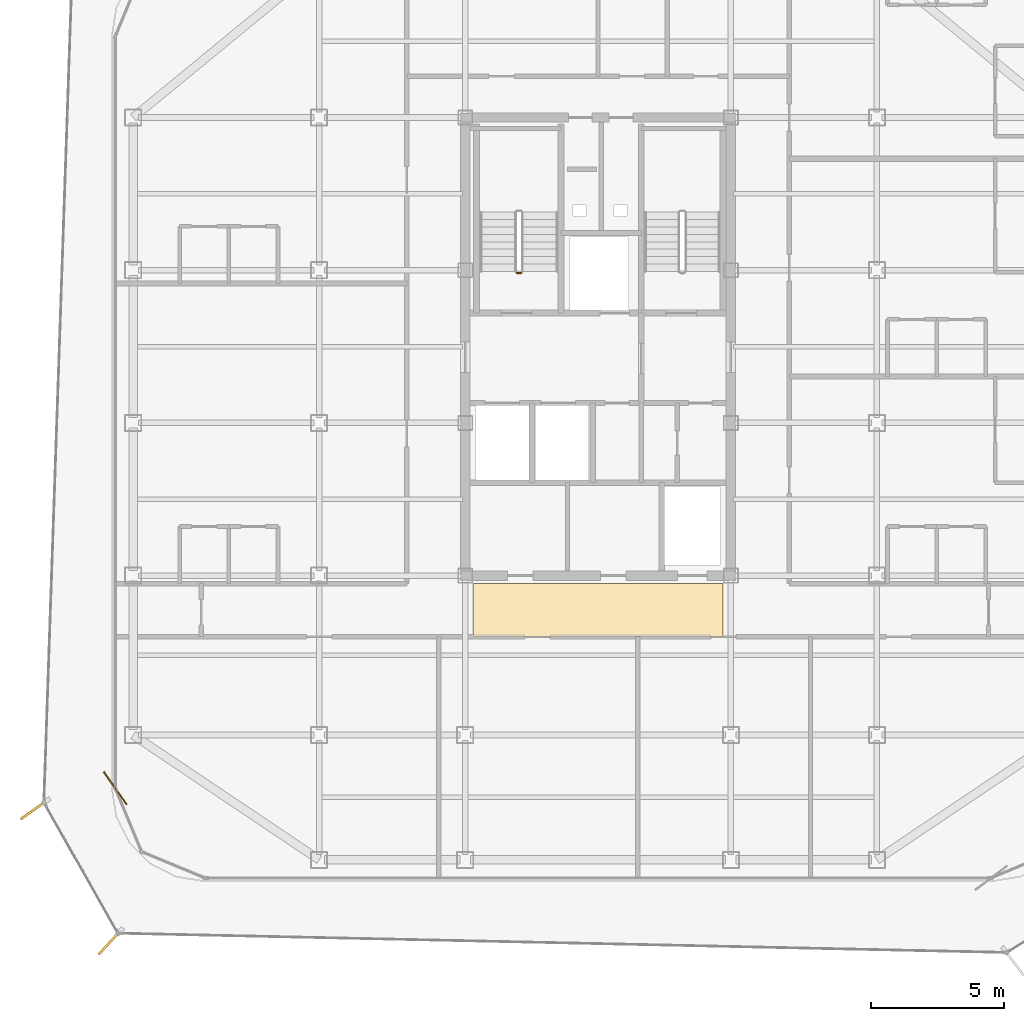
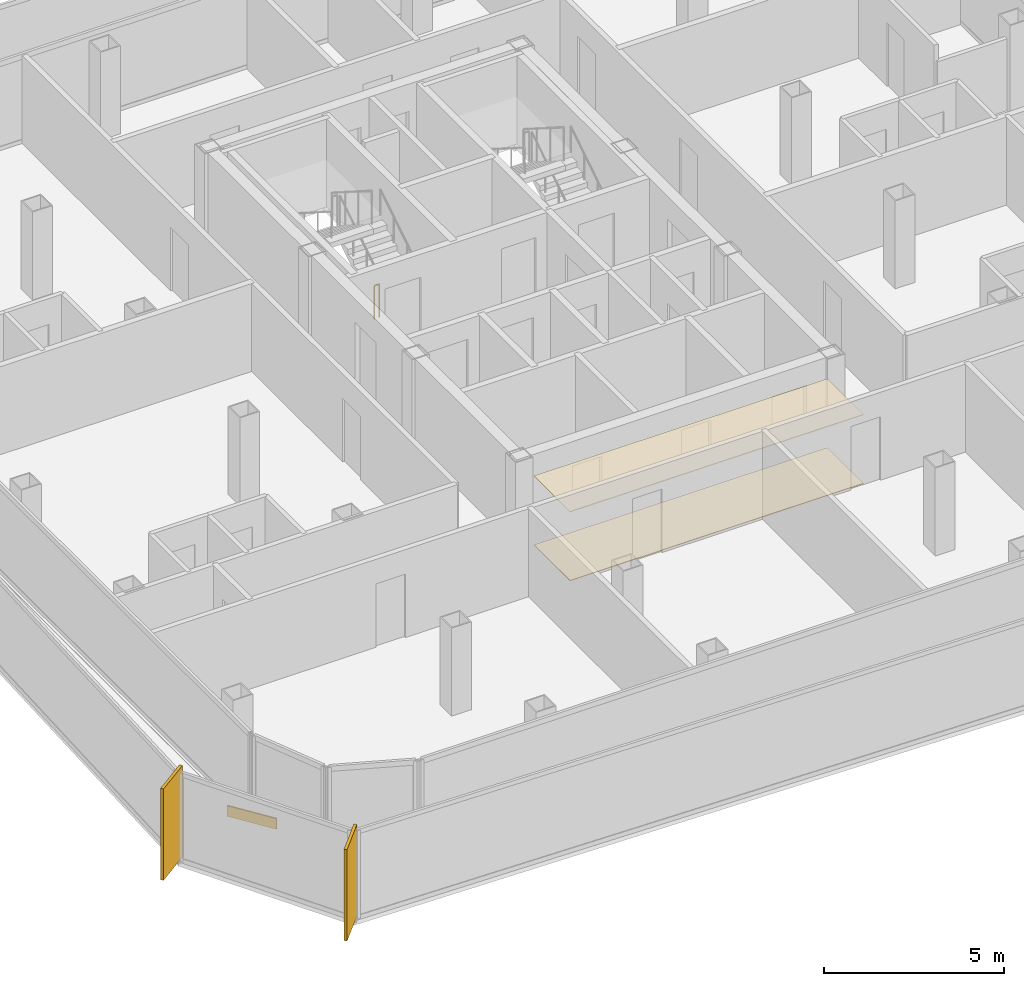
# One storey, part 13 of 15: 3 coverings, 2 shading devices, 1 railing.
"""IFC4 building model written with IfcOpenShell, lengths in metres."""

from ifc_helpers import new_model, si_unit, direction, frame, origin, origin_2d, place, context, subcontext, project, spatial, polyline, rectangle, circle, outline, extrude, source, transform, mapped, material, layer, layer_set, type_object, element, save


model = new_model("IFC4")

# Units and contexts
model_context = context("Model", 3, precision=1e-05, world=origin(), true_north=direction((0.0, 1.0)))
body_context = subcontext(model_context, "Body", "Model", "MODEL_VIEW")
ifc_project = project(units=[si_unit("LENGTHUNIT", "METRE"), si_unit("AREAUNIT", "SQUARE_METRE"), si_unit("VOLUMEUNIT", "CUBIC_METRE"), si_unit("PLANEANGLEUNIT", "RADIAN"), si_unit("MASSUNIT", "GRAM", prefix="KILO")], contexts=[model_context])

# Site, building, storey
site_placement = place(None, origin())
site = spatial("IfcSite", under=ifc_project, at=site_placement, CompositionType="ELEMENT")
building_placement = place(site_placement, origin())
building = spatial("IfcBuilding", under=site, at=building_placement, Name="Kolveth Station Tower", CompositionType="ELEMENT")
storey_placement = place(building_placement, frame((0.0, 0.0, 248.89990234375)))
storey = spatial("IfcBuildingStorey", under=building, at=storey_placement, Name="L71", CompositionType="ELEMENT", Elevation=248.89990234375)

# Coverings
ifc_material_1 = material(Name="Acoustic mineral-fibre ceiling tile")
ifc_layer_1 = layer(ifc_material_1, 0.02490234375)
ifc_layer_set_1 = layer_set([ifc_layer_1], Name="Acoustic mineral-fibre ceiling tile")
covering_type_1 = type_object("IfcCoveringType", Name="Ceil_CL1", PredefinedType="CEILING", material=ifc_layer_set_1)
covering_1_placement = place(storey_placement, frame((0.0, 0.0, 2.330078125)))
element("IfcCovering", 1, at=covering_1_placement, inside=storey, type_object=covering_type_1, Name="L71 Lift Lobby Suspended Ceiling", PredefinedType="CEILING", context=body_context, shape_type="SweptSolid", body=[
    extrude(outline(polyline([(18.800048828125, 9.199951171875), (28.199951171875, 9.199951171875), (28.199951171875, 11.199951171875), (18.800048828125, 11.199951171875), (18.800048828125, 9.199951171875)])), origin(), (0.0, 0.0, 1.0), 0.02490234375),
])
ifc_material_2 = material(Name="Honed terrazzo flooring")
ifc_layer_2 = layer(ifc_material_2, 0.02001953125)
ifc_layer_set_2 = layer_set([ifc_layer_2], Name="Honed terrazzo flooring")
covering_type_2 = type_object("IfcCoveringType", Name="Floor_FL1", PredefinedType="FLOORING", material=ifc_layer_set_2)
covering_2_placement = place(storey_placement, origin())
element("IfcCovering", 2, at=covering_2_placement, inside=storey, type_object=covering_type_2, Name="L71 Lift Lobby Floor Finish", PredefinedType="FLOORING", context=body_context, shape_type="SweptSolid", body=[
    extrude(outline(polyline([(18.800048828125, 9.199951171875), (28.199951171875, 9.199951171875), (28.199951171875, 11.199951171875), (18.800048828125, 11.199951171875), (18.800048828125, 9.199951171875)])), origin(), (0.0, 0.0, 1.0), 0.02001953125),
])

# Railing
ifc_material_3 = material(Name="Painted Steel S355 balustrade", Category="steel")
railing_type = type_object("IfcRailingType", Name="Guard_GR2", PredefinedType="BALUSTRADE", material=ifc_material_3)
railing_placement = place(storey_placement, frame((20.60009765625, 22.89990234375, 0.0)))
element("IfcRailing", 3, at=railing_placement, inside=storey, type_object=railing_type, Name="L71 ST1 stair guard 4", PredefinedType="BALUSTRADE", context=body_context, shape_type="SweptSolid", body=[
    extrude(circle(Radius=0.02392578125, at=origin_2d()), frame((0.0, 0.0, 1.1259765625), z_axis=(-1.0, 0.0, 0.0), x_axis=(0.0, -1.0, 0.0)), (0.0, 0.0, 1.0), 0.16015625),
    extrude(circle(Radius=0.02099609375, at=origin_2d()), origin(), (0.0, 0.0, 1.0), 1.101806640625),
    extrude(circle(Radius=0.02099609375, at=origin_2d()), frame((-0.16015625, 0.0, 0.0)), (0.0, 0.0, 1.0), 1.101806640625),
])

# Shading devices
ifc_material_4 = material(Name="Black anodized aluminium 6063-T6", Category="aluminium")
shading_device_type = type_object("IfcShadingDeviceType", Name="FIN_VF1", PredefinedType="USERDEFINED", material=ifc_material_4)
shared_shape_1 = source(origin(), body_context, "Body", "SweptSolid", [
    extrude(rectangle(XDim=1.25, YDim=0.090087890625, at=origin_2d()), origin(), (0.0, 0.0, 1.0), 3.10009765625),
])
for number, where, z_axis, x_axis, name in (
    (4, (2.27294921875, 2.693115234375, 0.0), (0.0, 0.0, 1.0), (-0.817446605564, -0.576004381105, 0.0), "L71 Dark-Aluminium Solar Fin 7"),
    (5, (5.1240234375, -2.300048828125, 0.0), (0.0, 0.0, 1.0), (-0.677518077755, -0.735506121195, 0.0), "L71 Dark-Aluminium Solar Fin 8"),
):
    element("IfcShadingDevice", number, at=place(storey_placement, frame(where, z_axis=z_axis, x_axis=x_axis)), inside=storey, type_object=shading_device_type, Name=name, ObjectType="FIN", PredefinedType="USERDEFINED", context=body_context, shape_type="MappedRepresentation", body=[
        mapped(shared_shape_1, transform((0.0, 0.0, 0.0), x_axis=(1.0, 0.0, 0.0), y_axis=(0.0, 1.0, 0.0), z_axis=(0.0, 0.0, 1.0), scale=1.0)),
    ])

# Covering
ifc_material_5 = material(Name="Charcoal anodized aluminium spandrel cladding", Category="aluminium")
ifc_layer_3 = layer(ifc_material_5, 0.044921875)
ifc_layer_set_3 = layer_set([ifc_layer_3], Name="Charcoal anodized aluminium spandrel cladding")
covering_type_3 = type_object("IfcCoveringType", Name="Clad_CD1", PredefinedType="CLADDING", material=ifc_layer_set_3)
shared_shape_2 = source(origin(), body_context, "Body", "SweptSolid", [
    extrude(rectangle(XDim=1.5, YDim=0.044921875, at=origin_2d()), origin(), (0.0, 0.0, 1.0), 0.360107421875),
])
covering_3_placement = place(storey_placement, frame((5.320068359375, 3.5, 0.0), z_axis=(0.0, 0.0, 1.0), x_axis=(0.576004381105, -0.817446605564, 0.0)))
element("IfcCovering", 6, at=covering_3_placement, inside=storey, type_object=covering_type_3, Name="L71 Spandrel Edge Cladding 7", PredefinedType="CLADDING", context=body_context, shape_type="MappedRepresentation", body=[
    mapped(shared_shape_2, transform((0.0, 0.0, 0.0), x_axis=(1.0, 0.0, 0.0), y_axis=(0.0, 1.0, 0.0), z_axis=(0.0, 0.0, 1.0), scale=1.0)),
])

save(model, "model.ifc")
